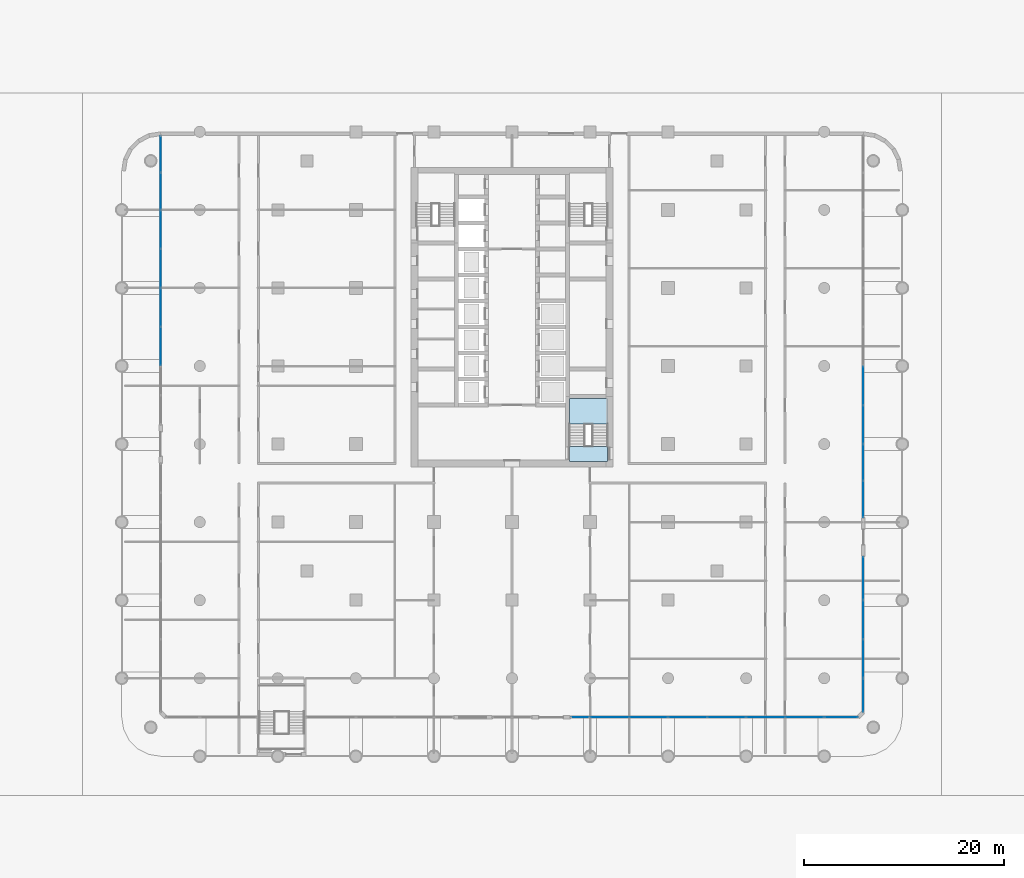
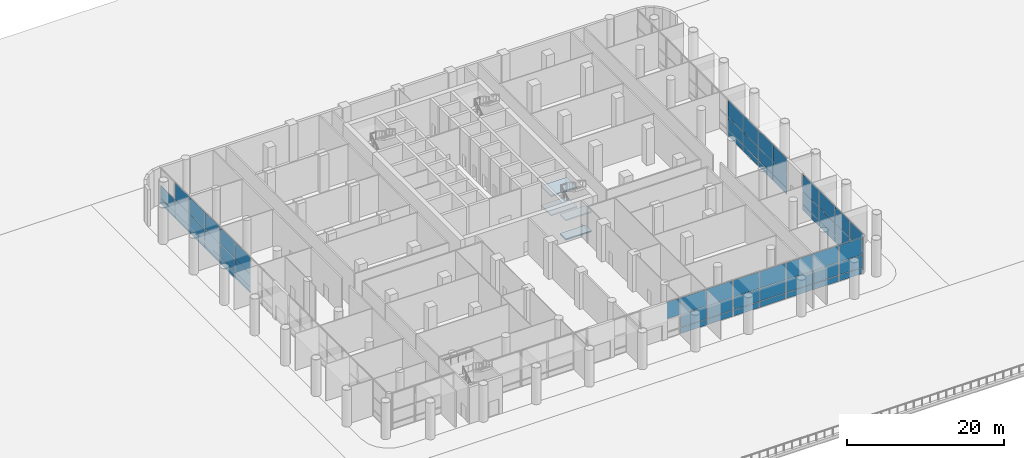
# One storey, part 9 of 32: 63 plates, 4 slabs, 14 elements without a shape of their own.
"""IFC4 building model written with IfcOpenShell, lengths in metres."""

from ifc_helpers import new_model, si_unit, direction, frame, origin, origin_2d, place, context, subcontext, project, spatial, polyline, rectangle, outline, extrude, material, layer, layer_set, type_object, element, aggregate, save


model = new_model("IFC4")

# Units and contexts
model_context = context("Model", 3, precision=1e-05, world=origin(), true_north=direction((0.0, 1.0)))
body_context = subcontext(model_context, "Body", "Model", "MODEL_VIEW")
ifc_project = project(units=[si_unit("LENGTHUNIT", "METRE"), si_unit("AREAUNIT", "SQUARE_METRE"), si_unit("VOLUMEUNIT", "CUBIC_METRE"), si_unit("PLANEANGLEUNIT", "RADIAN"), si_unit("MASSUNIT", "GRAM", prefix="KILO")], contexts=[model_context])

# Site, building, storey
site_placement = place(None, origin())
site = spatial("IfcSite", under=ifc_project, at=site_placement, CompositionType="ELEMENT")
building_placement = place(site_placement, origin())
building = spatial("IfcBuilding", under=site, at=building_placement, Name="Ludao Terraces", CompositionType="ELEMENT")
storey_placement = place(building_placement, origin())
storey = spatial("IfcBuildingStorey", under=building, at=storey_placement, Name="L00", CompositionType="ELEMENT", Elevation=0.0)

# Curtain wall, plate
ifc_material_1 = material(Name="Aluminium curtain wall with fritted glass", Category="aluminium")
curtain_wall_type = type_object("IfcCurtainWallType", Name="ENV CW2 entrance glazing", PredefinedType="NOTDEFINED", material=ifc_material_1)
curtain_wall_1_placement = place(storey_placement, origin())
curtain_wall_1 = element("IfcCurtainWall", 1, at=curtain_wall_1_placement, inside=storey, type_object=curtain_wall_type, Name="CW-L00-S10", PredefinedType="NOTDEFINED")
ifc_material_2 = material(Name="Fritted glass panel", Category="glass")
ifc_layer_1 = layer(ifc_material_2, 0.033935546875)
ifc_layer_set_1 = layer_set([ifc_layer_1], Name="ENV CW2 glass panel")
plate_type = type_object("IfcPlateType", Name="ENV CW2 glass panel", PredefinedType="CURTAIN_PANEL", material=ifc_layer_set_1)
plate_1_placement = place(storey_placement, frame((91.824951171875, 29.89990234375, 3.02978515625), z_axis=(0.0, 0.0, 1.0), x_axis=(1.0, 0.0, 0.0)))
plate_1 = element("IfcPlate", 2, at=plate_1_placement, type_object=plate_type, Name="CW2 panel 1.3", PredefinedType="CURTAIN_PANEL", context=body_context, shape_type="SweptSolid", body=[
    extrude(rectangle(XDim=1.830078125, YDim=0.033935546875, at=origin_2d()), origin(), (0.0, 0.0, 1.0), 2.610107421875),
])
aggregate(curtain_wall_1, [plate_1])

# Curtain wall, plates
curtain_wall_2_placement = place(storey_placement, origin())
curtain_wall_2 = element("IfcCurtainWall", 3, at=curtain_wall_2_placement, inside=storey, type_object=curtain_wall_type, Name="CW-L00-S11", PredefinedType="NOTDEFINED")
plate_2_placement = place(storey_placement, frame((94.764892578125, 29.89990234375, 0.06005859375), z_axis=(0.0, 0.0, 1.0), x_axis=(1.0, 0.0, 0.0)))
plate_2 = element("IfcPlate", 4, at=plate_2_placement, type_object=plate_type, Name="CW2 panel 1.1", PredefinedType="CURTAIN_PANEL", context=body_context, shape_type="SweptSolid", body=[
    extrude(rectangle(XDim=3.81005859375, YDim=0.033935546875, at=origin_2d()), origin(), (0.0, 0.0, 1.0), 0.909912109375),
])
plate_3_placement = place(storey_placement, frame((94.764892578125, 29.89990234375, 1.030029296875), z_axis=(0.0, 0.0, 1.0), x_axis=(1.0, 0.0, 0.0)))
plate_3 = element("IfcPlate", 5, at=plate_3_placement, type_object=plate_type, Name="CW2 panel 1.2", PredefinedType="CURTAIN_PANEL", context=body_context, shape_type="SweptSolid", body=[
    extrude(rectangle(XDim=3.81005859375, YDim=0.033935546875, at=origin_2d()), origin(), (0.0, 0.0, 1.0), 1.93994140625),
])
plate_4_placement = place(storey_placement, frame((94.764892578125, 29.89990234375, 3.02978515625), z_axis=(0.0, 0.0, 1.0), x_axis=(1.0, 0.0, 0.0)))
plate_4 = element("IfcPlate", 6, at=plate_4_placement, type_object=plate_type, Name="CW2 panel 1.3", PredefinedType="CURTAIN_PANEL", context=body_context, shape_type="SweptSolid", body=[
    extrude(rectangle(XDim=3.81005859375, YDim=0.033935546875, at=origin_2d()), origin(), (0.0, 0.0, 1.0), 2.610107421875),
])
plate_5_placement = place(storey_placement, frame((98.635009765625, 29.89990234375, 0.06005859375), z_axis=(0.0, 0.0, 1.0), x_axis=(1.0, 0.0, 0.0)))
plate_5 = element("IfcPlate", 7, at=plate_5_placement, type_object=plate_type, Name="CW2 panel 2.1", PredefinedType="CURTAIN_PANEL", context=body_context, shape_type="SweptSolid", body=[
    extrude(rectangle(XDim=3.81005859375, YDim=0.033935546875, at=origin_2d()), origin(), (0.0, 0.0, 1.0), 0.909912109375),
])
plate_6_placement = place(storey_placement, frame((98.635009765625, 29.89990234375, 1.030029296875), z_axis=(0.0, 0.0, 1.0), x_axis=(1.0, 0.0, 0.0)))
plate_6 = element("IfcPlate", 8, at=plate_6_placement, type_object=plate_type, Name="CW2 panel 2.2", PredefinedType="CURTAIN_PANEL", context=body_context, shape_type="SweptSolid", body=[
    extrude(rectangle(XDim=3.81005859375, YDim=0.033935546875, at=origin_2d()), origin(), (0.0, 0.0, 1.0), 1.93994140625),
])
plate_7_placement = place(storey_placement, frame((98.635009765625, 29.89990234375, 3.02978515625), z_axis=(0.0, 0.0, 1.0), x_axis=(1.0, 0.0, 0.0)))
plate_7 = element("IfcPlate", 9, at=plate_7_placement, type_object=plate_type, Name="CW2 panel 2.3", PredefinedType="CURTAIN_PANEL", context=body_context, shape_type="SweptSolid", body=[
    extrude(rectangle(XDim=3.81005859375, YDim=0.033935546875, at=origin_2d()), origin(), (0.0, 0.0, 1.0), 2.610107421875),
])
aggregate(curtain_wall_2, [plate_2, plate_3, plate_4, plate_5, plate_6, plate_7])

curtain_wall_3_placement = place(storey_placement, origin())
curtain_wall_3 = element("IfcCurtainWall", 10, at=curtain_wall_3_placement, inside=storey, type_object=curtain_wall_type, Name="CW-L00-S12", PredefinedType="NOTDEFINED")
plate_8_placement = place(storey_placement, frame((102.56494140625, 29.89990234375, 0.06005859375), z_axis=(0.0, 0.0, 1.0), x_axis=(1.0, 0.0, 0.0)))
plate_8 = element("IfcPlate", 11, at=plate_8_placement, type_object=plate_type, Name="CW2 panel 1.1", PredefinedType="CURTAIN_PANEL", context=body_context, shape_type="SweptSolid", body=[
    extrude(rectangle(XDim=3.81005859375, YDim=0.033935546875, at=origin_2d()), origin(), (0.0, 0.0, 1.0), 0.909912109375),
])
plate_9_placement = place(storey_placement, frame((102.56494140625, 29.89990234375, 1.030029296875), z_axis=(0.0, 0.0, 1.0), x_axis=(1.0, 0.0, 0.0)))
plate_9 = element("IfcPlate", 12, at=plate_9_placement, type_object=plate_type, Name="CW2 panel 1.2", PredefinedType="CURTAIN_PANEL", context=body_context, shape_type="SweptSolid", body=[
    extrude(rectangle(XDim=3.81005859375, YDim=0.033935546875, at=origin_2d()), origin(), (0.0, 0.0, 1.0), 1.93994140625),
])
plate_10_placement = place(storey_placement, frame((102.56494140625, 29.89990234375, 3.02978515625), z_axis=(0.0, 0.0, 1.0), x_axis=(1.0, 0.0, 0.0)))
plate_10 = element("IfcPlate", 13, at=plate_10_placement, type_object=plate_type, Name="CW2 panel 1.3", PredefinedType="CURTAIN_PANEL", context=body_context, shape_type="SweptSolid", body=[
    extrude(rectangle(XDim=3.81005859375, YDim=0.033935546875, at=origin_2d()), origin(), (0.0, 0.0, 1.0), 2.610107421875),
])
plate_11_placement = place(storey_placement, frame((106.43505859375, 29.89990234375, 0.06005859375), z_axis=(0.0, 0.0, 1.0), x_axis=(1.0, 0.0, 0.0)))
plate_11 = element("IfcPlate", 14, at=plate_11_placement, type_object=plate_type, Name="CW2 panel 2.1", PredefinedType="CURTAIN_PANEL", context=body_context, shape_type="SweptSolid", body=[
    extrude(rectangle(XDim=3.81005859375, YDim=0.033935546875, at=origin_2d()), origin(), (0.0, 0.0, 1.0), 0.909912109375),
])
plate_12_placement = place(storey_placement, frame((106.43505859375, 29.89990234375, 1.030029296875), z_axis=(0.0, 0.0, 1.0), x_axis=(1.0, 0.0, 0.0)))
plate_12 = element("IfcPlate", 15, at=plate_12_placement, type_object=plate_type, Name="CW2 panel 2.2", PredefinedType="CURTAIN_PANEL", context=body_context, shape_type="SweptSolid", body=[
    extrude(rectangle(XDim=3.81005859375, YDim=0.033935546875, at=origin_2d()), origin(), (0.0, 0.0, 1.0), 1.93994140625),
])
plate_13_placement = place(storey_placement, frame((106.43505859375, 29.89990234375, 3.02978515625), z_axis=(0.0, 0.0, 1.0), x_axis=(1.0, 0.0, 0.0)))
plate_13 = element("IfcPlate", 16, at=plate_13_placement, type_object=plate_type, Name="CW2 panel 2.3", PredefinedType="CURTAIN_PANEL", context=body_context, shape_type="SweptSolid", body=[
    extrude(rectangle(XDim=3.81005859375, YDim=0.033935546875, at=origin_2d()), origin(), (0.0, 0.0, 1.0), 2.610107421875),
])
aggregate(curtain_wall_3, [plate_8, plate_9, plate_10, plate_11, plate_12, plate_13])

curtain_wall_4_placement = place(storey_placement, origin())
curtain_wall_4 = element("IfcCurtainWall", 17, at=curtain_wall_4_placement, inside=storey, type_object=curtain_wall_type, Name="CW-L00-S13", PredefinedType="NOTDEFINED")
plate_14_placement = place(storey_placement, frame((110.364990234375, 29.89990234375, 0.06005859375), z_axis=(0.0, 0.0, 1.0), x_axis=(1.0, 0.0, 0.0)))
plate_14 = element("IfcPlate", 18, at=plate_14_placement, type_object=plate_type, Name="CW2 panel 1.1", PredefinedType="CURTAIN_PANEL", context=body_context, shape_type="SweptSolid", body=[
    extrude(rectangle(XDim=3.81005859375, YDim=0.033935546875, at=origin_2d()), origin(), (0.0, 0.0, 1.0), 0.909912109375),
])
plate_15_placement = place(storey_placement, frame((110.364990234375, 29.89990234375, 1.030029296875), z_axis=(0.0, 0.0, 1.0), x_axis=(1.0, 0.0, 0.0)))
plate_15 = element("IfcPlate", 19, at=plate_15_placement, type_object=plate_type, Name="CW2 panel 1.2", PredefinedType="CURTAIN_PANEL", context=body_context, shape_type="SweptSolid", body=[
    extrude(rectangle(XDim=3.81005859375, YDim=0.033935546875, at=origin_2d()), origin(), (0.0, 0.0, 1.0), 1.93994140625),
])
plate_16_placement = place(storey_placement, frame((110.364990234375, 29.89990234375, 3.02978515625), z_axis=(0.0, 0.0, 1.0), x_axis=(1.0, 0.0, 0.0)))
plate_16 = element("IfcPlate", 20, at=plate_16_placement, type_object=plate_type, Name="CW2 panel 1.3", PredefinedType="CURTAIN_PANEL", context=body_context, shape_type="SweptSolid", body=[
    extrude(rectangle(XDim=3.81005859375, YDim=0.033935546875, at=origin_2d()), origin(), (0.0, 0.0, 1.0), 2.610107421875),
])
plate_17_placement = place(storey_placement, frame((114.235107421875, 29.89990234375, 0.06005859375), z_axis=(0.0, 0.0, 1.0), x_axis=(1.0, 0.0, 0.0)))
plate_17 = element("IfcPlate", 21, at=plate_17_placement, type_object=plate_type, Name="CW2 panel 2.1", PredefinedType="CURTAIN_PANEL", context=body_context, shape_type="SweptSolid", body=[
    extrude(rectangle(XDim=3.81005859375, YDim=0.033935546875, at=origin_2d()), origin(), (0.0, 0.0, 1.0), 0.909912109375),
])
plate_18_placement = place(storey_placement, frame((114.235107421875, 29.89990234375, 1.030029296875), z_axis=(0.0, 0.0, 1.0), x_axis=(1.0, 0.0, 0.0)))
plate_18 = element("IfcPlate", 22, at=plate_18_placement, type_object=plate_type, Name="CW2 panel 2.2", PredefinedType="CURTAIN_PANEL", context=body_context, shape_type="SweptSolid", body=[
    extrude(rectangle(XDim=3.81005859375, YDim=0.033935546875, at=origin_2d()), origin(), (0.0, 0.0, 1.0), 1.93994140625),
])
plate_19_placement = place(storey_placement, frame((114.235107421875, 29.89990234375, 3.02978515625), z_axis=(0.0, 0.0, 1.0), x_axis=(1.0, 0.0, 0.0)))
plate_19 = element("IfcPlate", 23, at=plate_19_placement, type_object=plate_type, Name="CW2 panel 2.3", PredefinedType="CURTAIN_PANEL", context=body_context, shape_type="SweptSolid", body=[
    extrude(rectangle(XDim=3.81005859375, YDim=0.033935546875, at=origin_2d()), origin(), (0.0, 0.0, 1.0), 2.610107421875),
])
aggregate(curtain_wall_4, [plate_14, plate_15, plate_16, plate_17, plate_18, plate_19])

curtain_wall_5_placement = place(storey_placement, origin())
curtain_wall_5 = element("IfcCurtainWall", 24, at=curtain_wall_5_placement, inside=storey, type_object=curtain_wall_type, Name="CW-L00-S14", PredefinedType="NOTDEFINED")
plate_20_placement = place(storey_placement, frame((117.89990234375, 29.89990234375, 0.06005859375), z_axis=(0.0, 0.0, 1.0), x_axis=(1.0, 0.0, 0.0)))
plate_20 = element("IfcPlate", 25, at=plate_20_placement, type_object=plate_type, Name="CW2 panel 1.1", PredefinedType="CURTAIN_PANEL", context=body_context, shape_type="SweptSolid", body=[
    extrude(rectangle(XDim=3.280029296875, YDim=0.033935546875, at=origin_2d()), origin(), (0.0, 0.0, 1.0), 0.909912109375),
])
plate_21_placement = place(storey_placement, frame((117.89990234375, 29.89990234375, 1.030029296875), z_axis=(0.0, 0.0, 1.0), x_axis=(1.0, 0.0, 0.0)))
plate_21 = element("IfcPlate", 26, at=plate_21_placement, type_object=plate_type, Name="CW2 panel 1.2", PredefinedType="CURTAIN_PANEL", context=body_context, shape_type="SweptSolid", body=[
    extrude(rectangle(XDim=3.280029296875, YDim=0.033935546875, at=origin_2d()), origin(), (0.0, 0.0, 1.0), 1.93994140625),
])
plate_22_placement = place(storey_placement, frame((117.89990234375, 29.89990234375, 3.02978515625), z_axis=(0.0, 0.0, 1.0), x_axis=(1.0, 0.0, 0.0)))
plate_22 = element("IfcPlate", 27, at=plate_22_placement, type_object=plate_type, Name="CW2 panel 1.3", PredefinedType="CURTAIN_PANEL", context=body_context, shape_type="SweptSolid", body=[
    extrude(rectangle(XDim=3.280029296875, YDim=0.033935546875, at=origin_2d()), origin(), (0.0, 0.0, 1.0), 2.610107421875),
])
aggregate(curtain_wall_5, [plate_20, plate_21, plate_22])

curtain_wall_6_placement = place(storey_placement, origin())
curtain_wall_6 = element("IfcCurtainWall", 28, at=curtain_wall_6_placement, inside=storey, type_object=curtain_wall_type, Name="CW-L00-E1", PredefinedType="NOTDEFINED")
plate_23_placement = place(storey_placement, frame((120.10009765625, 32.10009765625, 0.06005859375), z_axis=(0.0, 0.0, 1.0), x_axis=(0.0, 1.0, 0.0)))
plate_23 = element("IfcPlate", 29, at=plate_23_placement, type_object=plate_type, Name="CW2 panel 1.1", PredefinedType="CURTAIN_PANEL", context=body_context, shape_type="SweptSolid", body=[
    extrude(rectangle(XDim=3.280029296875, YDim=0.033935546875, at=origin_2d()), origin(), (0.0, 0.0, 1.0), 0.909912109375),
])
plate_24_placement = place(storey_placement, frame((120.10009765625, 32.10009765625, 1.030029296875), z_axis=(0.0, 0.0, 1.0), x_axis=(0.0, 1.0, 0.0)))
plate_24 = element("IfcPlate", 30, at=plate_24_placement, type_object=plate_type, Name="CW2 panel 1.2", PredefinedType="CURTAIN_PANEL", context=body_context, shape_type="SweptSolid", body=[
    extrude(rectangle(XDim=3.280029296875, YDim=0.033935546875, at=origin_2d()), origin(), (0.0, 0.0, 1.0), 1.93994140625),
])
plate_25_placement = place(storey_placement, frame((120.10009765625, 32.10009765625, 3.02978515625), z_axis=(0.0, 0.0, 1.0), x_axis=(0.0, 1.0, 0.0)))
plate_25 = element("IfcPlate", 31, at=plate_25_placement, type_object=plate_type, Name="CW2 panel 1.3", PredefinedType="CURTAIN_PANEL", context=body_context, shape_type="SweptSolid", body=[
    extrude(rectangle(XDim=3.280029296875, YDim=0.033935546875, at=origin_2d()), origin(), (0.0, 0.0, 1.0), 2.610107421875),
])
aggregate(curtain_wall_6, [plate_23, plate_24, plate_25])

curtain_wall_7_placement = place(storey_placement, origin())
curtain_wall_7 = element("IfcCurtainWall", 32, at=curtain_wall_7_placement, inside=storey, type_object=curtain_wall_type, Name="CW-L00-E2", PredefinedType="NOTDEFINED")
plate_26_placement = place(storey_placement, frame((120.10009765625, 35.764892578125, 0.06005859375), z_axis=(0.0, 0.0, 1.0), x_axis=(0.0, 1.0, 0.0)))
plate_26 = element("IfcPlate", 33, at=plate_26_placement, type_object=plate_type, Name="CW2 panel 1.1", PredefinedType="CURTAIN_PANEL", context=body_context, shape_type="SweptSolid", body=[
    extrude(rectangle(XDim=3.81005859375, YDim=0.033935546875, at=origin_2d()), origin(), (0.0, 0.0, 1.0), 0.909912109375),
])
plate_27_placement = place(storey_placement, frame((120.10009765625, 35.764892578125, 1.030029296875), z_axis=(0.0, 0.0, 1.0), x_axis=(0.0, 1.0, 0.0)))
plate_27 = element("IfcPlate", 34, at=plate_27_placement, type_object=plate_type, Name="CW2 panel 1.2", PredefinedType="CURTAIN_PANEL", context=body_context, shape_type="SweptSolid", body=[
    extrude(rectangle(XDim=3.81005859375, YDim=0.033935546875, at=origin_2d()), origin(), (0.0, 0.0, 1.0), 1.93994140625),
])
plate_28_placement = place(storey_placement, frame((120.10009765625, 35.764892578125, 3.02978515625), z_axis=(0.0, 0.0, 1.0), x_axis=(0.0, 1.0, 0.0)))
plate_28 = element("IfcPlate", 35, at=plate_28_placement, type_object=plate_type, Name="CW2 panel 1.3", PredefinedType="CURTAIN_PANEL", context=body_context, shape_type="SweptSolid", body=[
    extrude(rectangle(XDim=3.81005859375, YDim=0.033935546875, at=origin_2d()), origin(), (0.0, 0.0, 1.0), 2.610107421875),
])
plate_29_placement = place(storey_placement, frame((120.10009765625, 39.635009765625, 0.06005859375), z_axis=(0.0, 0.0, 1.0), x_axis=(0.0, 1.0, 0.0)))
plate_29 = element("IfcPlate", 36, at=plate_29_placement, type_object=plate_type, Name="CW2 panel 2.1", PredefinedType="CURTAIN_PANEL", context=body_context, shape_type="SweptSolid", body=[
    extrude(rectangle(XDim=3.81005859375, YDim=0.033935546875, at=origin_2d()), origin(), (0.0, 0.0, 1.0), 0.909912109375),
])
plate_30_placement = place(storey_placement, frame((120.10009765625, 39.635009765625, 1.030029296875), z_axis=(0.0, 0.0, 1.0), x_axis=(0.0, 1.0, 0.0)))
plate_30 = element("IfcPlate", 37, at=plate_30_placement, type_object=plate_type, Name="CW2 panel 2.2", PredefinedType="CURTAIN_PANEL", context=body_context, shape_type="SweptSolid", body=[
    extrude(rectangle(XDim=3.81005859375, YDim=0.033935546875, at=origin_2d()), origin(), (0.0, 0.0, 1.0), 1.93994140625),
])
plate_31_placement = place(storey_placement, frame((120.10009765625, 39.635009765625, 3.02978515625), z_axis=(0.0, 0.0, 1.0), x_axis=(0.0, 1.0, 0.0)))
plate_31 = element("IfcPlate", 38, at=plate_31_placement, type_object=plate_type, Name="CW2 panel 2.3", PredefinedType="CURTAIN_PANEL", context=body_context, shape_type="SweptSolid", body=[
    extrude(rectangle(XDim=3.81005859375, YDim=0.033935546875, at=origin_2d()), origin(), (0.0, 0.0, 1.0), 2.610107421875),
])
aggregate(curtain_wall_7, [plate_26, plate_27, plate_28, plate_29, plate_30, plate_31])

curtain_wall_8_placement = place(storey_placement, origin())
curtain_wall_8 = element("IfcCurtainWall", 39, at=curtain_wall_8_placement, inside=storey, type_object=curtain_wall_type, Name="CW-L00-E3", PredefinedType="NOTDEFINED")
plate_32_placement = place(storey_placement, frame((120.10009765625, 43.77490234375, 0.06005859375), z_axis=(0.0, 0.0, 1.0), x_axis=(0.0, 1.0, 0.0)))
plate_32 = element("IfcPlate", 40, at=plate_32_placement, type_object=plate_type, Name="CW2 panel 1.1", PredefinedType="CURTAIN_PANEL", context=body_context, shape_type="SweptSolid", body=[
    extrude(rectangle(XDim=4.22998046875, YDim=0.033935546875, at=origin_2d()), origin(), (0.0, 0.0, 1.0), 0.909912109375),
])
plate_33_placement = place(storey_placement, frame((120.10009765625, 43.77490234375, 1.030029296875), z_axis=(0.0, 0.0, 1.0), x_axis=(0.0, 1.0, 0.0)))
plate_33 = element("IfcPlate", 41, at=plate_33_placement, type_object=plate_type, Name="CW2 panel 1.2", PredefinedType="CURTAIN_PANEL", context=body_context, shape_type="SweptSolid", body=[
    extrude(rectangle(XDim=4.22998046875, YDim=0.033935546875, at=origin_2d()), origin(), (0.0, 0.0, 1.0), 1.93994140625),
])
plate_34_placement = place(storey_placement, frame((120.10009765625, 43.77490234375, 3.02978515625), z_axis=(0.0, 0.0, 1.0), x_axis=(0.0, 1.0, 0.0)))
plate_34 = element("IfcPlate", 42, at=plate_34_placement, type_object=plate_type, Name="CW2 panel 1.3", PredefinedType="CURTAIN_PANEL", context=body_context, shape_type="SweptSolid", body=[
    extrude(rectangle(XDim=4.22998046875, YDim=0.033935546875, at=origin_2d()), origin(), (0.0, 0.0, 1.0), 2.610107421875),
])
aggregate(curtain_wall_8, [plate_32, plate_33, plate_34])

curtain_wall_9_placement = place(storey_placement, origin())
curtain_wall_9 = element("IfcCurtainWall", 43, at=curtain_wall_9_placement, inside=storey, type_object=curtain_wall_type, Name="CW-L00-E5", PredefinedType="NOTDEFINED")
plate_35_placement = place(storey_placement, frame((120.10009765625, 51.702392578125, 0.06005859375), z_axis=(0.0, 0.0, 1.0), x_axis=(0.0, 1.0, 0.0)))
plate_35 = element("IfcPlate", 44, at=plate_35_placement, type_object=plate_type, Name="CW2 panel 1.1", PredefinedType="CURTAIN_PANEL", context=body_context, shape_type="SweptSolid", body=[
    extrude(rectangle(XDim=3.5849609375, YDim=0.033935546875, at=origin_2d()), origin(), (0.0, 0.0, 1.0), 0.909912109375),
])
plate_36_placement = place(storey_placement, frame((120.10009765625, 51.702392578125, 1.030029296875), z_axis=(0.0, 0.0, 1.0), x_axis=(0.0, 1.0, 0.0)))
plate_36 = element("IfcPlate", 45, at=plate_36_placement, type_object=plate_type, Name="CW2 panel 1.2", PredefinedType="CURTAIN_PANEL", context=body_context, shape_type="SweptSolid", body=[
    extrude(rectangle(XDim=3.5849609375, YDim=0.033935546875, at=origin_2d()), origin(), (0.0, 0.0, 1.0), 1.93994140625),
])
plate_37_placement = place(storey_placement, frame((120.10009765625, 51.702392578125, 3.02978515625), z_axis=(0.0, 0.0, 1.0), x_axis=(0.0, 1.0, 0.0)))
plate_37 = element("IfcPlate", 46, at=plate_37_placement, type_object=plate_type, Name="CW2 panel 1.3", PredefinedType="CURTAIN_PANEL", context=body_context, shape_type="SweptSolid", body=[
    extrude(rectangle(XDim=3.5849609375, YDim=0.033935546875, at=origin_2d()), origin(), (0.0, 0.0, 1.0), 2.610107421875),
])
plate_38_placement = place(storey_placement, frame((120.10009765625, 55.347412109375, 0.06005859375), z_axis=(0.0, 0.0, 1.0), x_axis=(0.0, 1.0, 0.0)))
plate_38 = element("IfcPlate", 47, at=plate_38_placement, type_object=plate_type, Name="CW2 panel 2.1", PredefinedType="CURTAIN_PANEL", context=body_context, shape_type="SweptSolid", body=[
    extrude(rectangle(XDim=3.5849609375, YDim=0.033935546875, at=origin_2d()), origin(), (0.0, 0.0, 1.0), 0.909912109375),
])
plate_39_placement = place(storey_placement, frame((120.10009765625, 55.347412109375, 1.030029296875), z_axis=(0.0, 0.0, 1.0), x_axis=(0.0, 1.0, 0.0)))
plate_39 = element("IfcPlate", 48, at=plate_39_placement, type_object=plate_type, Name="CW2 panel 2.2", PredefinedType="CURTAIN_PANEL", context=body_context, shape_type="SweptSolid", body=[
    extrude(rectangle(XDim=3.5849609375, YDim=0.033935546875, at=origin_2d()), origin(), (0.0, 0.0, 1.0), 1.93994140625),
])
plate_40_placement = place(storey_placement, frame((120.10009765625, 55.347412109375, 3.02978515625), z_axis=(0.0, 0.0, 1.0), x_axis=(0.0, 1.0, 0.0)))
plate_40 = element("IfcPlate", 49, at=plate_40_placement, type_object=plate_type, Name="CW2 panel 2.3", PredefinedType="CURTAIN_PANEL", context=body_context, shape_type="SweptSolid", body=[
    extrude(rectangle(XDim=3.5849609375, YDim=0.033935546875, at=origin_2d()), origin(), (0.0, 0.0, 1.0), 2.610107421875),
])
aggregate(curtain_wall_9, [plate_35, plate_36, plate_37, plate_38, plate_39, plate_40])

curtain_wall_10_placement = place(storey_placement, origin())
curtain_wall_10 = element("IfcCurtainWall", 50, at=curtain_wall_10_placement, inside=storey, type_object=curtain_wall_type, Name="CW-L00-E6", PredefinedType="NOTDEFINED")
plate_41_placement = place(storey_placement, frame((120.10009765625, 59.1650390625, 0.06005859375), z_axis=(0.0, 0.0, 1.0), x_axis=(0.0, 1.0, 0.0)))
plate_41 = element("IfcPlate", 51, at=plate_41_placement, type_object=plate_type, Name="CW2 panel 1.1", PredefinedType="CURTAIN_PANEL", context=body_context, shape_type="SweptSolid", body=[
    extrude(rectangle(XDim=3.81005859375, YDim=0.033935546875, at=origin_2d()), origin(), (0.0, 0.0, 1.0), 0.909912109375),
])
plate_42_placement = place(storey_placement, frame((120.10009765625, 59.1650390625, 1.030029296875), z_axis=(0.0, 0.0, 1.0), x_axis=(0.0, 1.0, 0.0)))
plate_42 = element("IfcPlate", 52, at=plate_42_placement, type_object=plate_type, Name="CW2 panel 1.2", PredefinedType="CURTAIN_PANEL", context=body_context, shape_type="SweptSolid", body=[
    extrude(rectangle(XDim=3.81005859375, YDim=0.033935546875, at=origin_2d()), origin(), (0.0, 0.0, 1.0), 1.93994140625),
])
plate_43_placement = place(storey_placement, frame((120.10009765625, 59.1650390625, 3.02978515625), z_axis=(0.0, 0.0, 1.0), x_axis=(0.0, 1.0, 0.0)))
plate_43 = element("IfcPlate", 53, at=plate_43_placement, type_object=plate_type, Name="CW2 panel 1.3", PredefinedType="CURTAIN_PANEL", context=body_context, shape_type="SweptSolid", body=[
    extrude(rectangle(XDim=3.81005859375, YDim=0.033935546875, at=origin_2d()), origin(), (0.0, 0.0, 1.0), 2.610107421875),
])
plate_44_placement = place(storey_placement, frame((120.10009765625, 63.034912109375, 0.06005859375), z_axis=(0.0, 0.0, 1.0), x_axis=(0.0, 1.0, 0.0)))
plate_44 = element("IfcPlate", 54, at=plate_44_placement, type_object=plate_type, Name="CW2 panel 2.1", PredefinedType="CURTAIN_PANEL", context=body_context, shape_type="SweptSolid", body=[
    extrude(rectangle(XDim=3.81005859375, YDim=0.033935546875, at=origin_2d()), origin(), (0.0, 0.0, 1.0), 0.909912109375),
])
plate_45_placement = place(storey_placement, frame((120.10009765625, 63.034912109375, 1.030029296875), z_axis=(0.0, 0.0, 1.0), x_axis=(0.0, 1.0, 0.0)))
plate_45 = element("IfcPlate", 55, at=plate_45_placement, type_object=plate_type, Name="CW2 panel 2.2", PredefinedType="CURTAIN_PANEL", context=body_context, shape_type="SweptSolid", body=[
    extrude(rectangle(XDim=3.81005859375, YDim=0.033935546875, at=origin_2d()), origin(), (0.0, 0.0, 1.0), 1.93994140625),
])
plate_46_placement = place(storey_placement, frame((120.10009765625, 63.034912109375, 3.02978515625), z_axis=(0.0, 0.0, 1.0), x_axis=(0.0, 1.0, 0.0)))
plate_46 = element("IfcPlate", 56, at=plate_46_placement, type_object=plate_type, Name="CW2 panel 2.3", PredefinedType="CURTAIN_PANEL", context=body_context, shape_type="SweptSolid", body=[
    extrude(rectangle(XDim=3.81005859375, YDim=0.033935546875, at=origin_2d()), origin(), (0.0, 0.0, 1.0), 2.610107421875),
])
aggregate(curtain_wall_10, [plate_41, plate_42, plate_43, plate_44, plate_45, plate_46])

curtain_wall_11_placement = place(storey_placement, origin())
curtain_wall_11 = element("IfcCurtainWall", 57, at=curtain_wall_11_placement, inside=storey, type_object=curtain_wall_type, Name="CW-L00-W7", PredefinedType="NOTDEFINED")
plate_47_placement = place(storey_placement, frame((49.89990234375, 66.965087890625, 0.06005859375), z_axis=(0.0, 0.0, 1.0), x_axis=(0.0, 1.0, 0.0)))
plate_47 = element("IfcPlate", 58, at=plate_47_placement, type_object=plate_type, Name="CW2 panel 1.1", PredefinedType="CURTAIN_PANEL", context=body_context, shape_type="SweptSolid", body=[
    extrude(rectangle(XDim=3.81005859375, YDim=0.033935546875, at=origin_2d()), origin(), (0.0, 0.0, 1.0), 0.909912109375),
])
plate_48_placement = place(storey_placement, frame((49.89990234375, 66.965087890625, 1.030029296875), z_axis=(0.0, 0.0, 1.0), x_axis=(0.0, 1.0, 0.0)))
plate_48 = element("IfcPlate", 59, at=plate_48_placement, type_object=plate_type, Name="CW2 panel 1.2", PredefinedType="CURTAIN_PANEL", context=body_context, shape_type="SweptSolid", body=[
    extrude(rectangle(XDim=3.81005859375, YDim=0.033935546875, at=origin_2d()), origin(), (0.0, 0.0, 1.0), 1.93994140625),
])
plate_49_placement = place(storey_placement, frame((49.89990234375, 66.965087890625, 3.02978515625), z_axis=(0.0, 0.0, 1.0), x_axis=(0.0, 1.0, 0.0)))
plate_49 = element("IfcPlate", 60, at=plate_49_placement, type_object=plate_type, Name="CW2 panel 1.3", PredefinedType="CURTAIN_PANEL", context=body_context, shape_type="SweptSolid", body=[
    extrude(rectangle(XDim=3.81005859375, YDim=0.033935546875, at=origin_2d()), origin(), (0.0, 0.0, 1.0), 2.610107421875),
])
plate_50_placement = place(storey_placement, frame((49.89990234375, 70.8349609375, 0.06005859375), z_axis=(0.0, 0.0, 1.0), x_axis=(0.0, 1.0, 0.0)))
plate_50 = element("IfcPlate", 61, at=plate_50_placement, type_object=plate_type, Name="CW2 panel 2.1", PredefinedType="CURTAIN_PANEL", context=body_context, shape_type="SweptSolid", body=[
    extrude(rectangle(XDim=3.81005859375, YDim=0.033935546875, at=origin_2d()), origin(), (0.0, 0.0, 1.0), 0.909912109375),
])
plate_51_placement = place(storey_placement, frame((49.89990234375, 70.8349609375, 1.030029296875), z_axis=(0.0, 0.0, 1.0), x_axis=(0.0, 1.0, 0.0)))
plate_51 = element("IfcPlate", 62, at=plate_51_placement, type_object=plate_type, Name="CW2 panel 2.2", PredefinedType="CURTAIN_PANEL", context=body_context, shape_type="SweptSolid", body=[
    extrude(rectangle(XDim=3.81005859375, YDim=0.033935546875, at=origin_2d()), origin(), (0.0, 0.0, 1.0), 1.93994140625),
])
plate_52_placement = place(storey_placement, frame((49.89990234375, 70.8349609375, 3.02978515625), z_axis=(0.0, 0.0, 1.0), x_axis=(0.0, 1.0, 0.0)))
plate_52 = element("IfcPlate", 63, at=plate_52_placement, type_object=plate_type, Name="CW2 panel 2.3", PredefinedType="CURTAIN_PANEL", context=body_context, shape_type="SweptSolid", body=[
    extrude(rectangle(XDim=3.81005859375, YDim=0.033935546875, at=origin_2d()), origin(), (0.0, 0.0, 1.0), 2.610107421875),
])
aggregate(curtain_wall_11, [plate_47, plate_48, plate_49, plate_50, plate_51, plate_52])

curtain_wall_12_placement = place(storey_placement, origin())
curtain_wall_12 = element("IfcCurtainWall", 64, at=curtain_wall_12_placement, inside=storey, type_object=curtain_wall_type, Name="CW-L00-W8", PredefinedType="NOTDEFINED")
plate_53_placement = place(storey_placement, frame((49.89990234375, 74.764892578125, 0.06005859375), z_axis=(0.0, 0.0, 1.0), x_axis=(0.0, 1.0, 0.0)))
plate_53 = element("IfcPlate", 65, at=plate_53_placement, type_object=plate_type, Name="CW2 panel 1.1", PredefinedType="CURTAIN_PANEL", context=body_context, shape_type="SweptSolid", body=[
    extrude(rectangle(XDim=3.81005859375, YDim=0.033935546875, at=origin_2d()), origin(), (0.0, 0.0, 1.0), 0.909912109375),
])
plate_54_placement = place(storey_placement, frame((49.89990234375, 74.764892578125, 1.030029296875), z_axis=(0.0, 0.0, 1.0), x_axis=(0.0, 1.0, 0.0)))
plate_54 = element("IfcPlate", 66, at=plate_54_placement, type_object=plate_type, Name="CW2 panel 1.2", PredefinedType="CURTAIN_PANEL", context=body_context, shape_type="SweptSolid", body=[
    extrude(rectangle(XDim=3.81005859375, YDim=0.033935546875, at=origin_2d()), origin(), (0.0, 0.0, 1.0), 1.93994140625),
])
plate_55_placement = place(storey_placement, frame((49.89990234375, 74.764892578125, 3.02978515625), z_axis=(0.0, 0.0, 1.0), x_axis=(0.0, 1.0, 0.0)))
plate_55 = element("IfcPlate", 67, at=plate_55_placement, type_object=plate_type, Name="CW2 panel 1.3", PredefinedType="CURTAIN_PANEL", context=body_context, shape_type="SweptSolid", body=[
    extrude(rectangle(XDim=3.81005859375, YDim=0.033935546875, at=origin_2d()), origin(), (0.0, 0.0, 1.0), 2.610107421875),
])
plate_56_placement = place(storey_placement, frame((49.89990234375, 78.635009765625, 0.06005859375), z_axis=(0.0, 0.0, 1.0), x_axis=(0.0, 1.0, 0.0)))
plate_56 = element("IfcPlate", 68, at=plate_56_placement, type_object=plate_type, Name="CW2 panel 2.1", PredefinedType="CURTAIN_PANEL", context=body_context, shape_type="SweptSolid", body=[
    extrude(rectangle(XDim=3.81005859375, YDim=0.033935546875, at=origin_2d()), origin(), (0.0, 0.0, 1.0), 0.909912109375),
])
plate_57_placement = place(storey_placement, frame((49.89990234375, 78.635009765625, 1.030029296875), z_axis=(0.0, 0.0, 1.0), x_axis=(0.0, 1.0, 0.0)))
plate_57 = element("IfcPlate", 69, at=plate_57_placement, type_object=plate_type, Name="CW2 panel 2.2", PredefinedType="CURTAIN_PANEL", context=body_context, shape_type="SweptSolid", body=[
    extrude(rectangle(XDim=3.81005859375, YDim=0.033935546875, at=origin_2d()), origin(), (0.0, 0.0, 1.0), 1.93994140625),
])
plate_58_placement = place(storey_placement, frame((49.89990234375, 78.635009765625, 3.02978515625), z_axis=(0.0, 0.0, 1.0), x_axis=(0.0, 1.0, 0.0)))
plate_58 = element("IfcPlate", 70, at=plate_58_placement, type_object=plate_type, Name="CW2 panel 2.3", PredefinedType="CURTAIN_PANEL", context=body_context, shape_type="SweptSolid", body=[
    extrude(rectangle(XDim=3.81005859375, YDim=0.033935546875, at=origin_2d()), origin(), (0.0, 0.0, 1.0), 2.610107421875),
])
aggregate(curtain_wall_12, [plate_53, plate_54, plate_55, plate_56, plate_57, plate_58])

curtain_wall_13_placement = place(storey_placement, origin())
curtain_wall_13 = element("IfcCurtainWall", 71, at=curtain_wall_13_placement, inside=storey, type_object=curtain_wall_type, Name="CW-L00-W9", PredefinedType="NOTDEFINED")
plate_59_placement = place(storey_placement, frame((49.89990234375, 82.469970703125, 0.06005859375), z_axis=(0.0, 0.0, 1.0), x_axis=(0.0, 1.0, 0.0)))
plate_59 = element("IfcPlate", 72, at=plate_59_placement, type_object=plate_type, Name="CW2 panel 1.1", PredefinedType="CURTAIN_PANEL", context=body_context, shape_type="SweptSolid", body=[
    extrude(rectangle(XDim=3.6201171875, YDim=0.033935546875, at=origin_2d()), origin(), (0.0, 0.0, 1.0), 0.909912109375),
])
plate_60_placement = place(storey_placement, frame((49.89990234375, 82.469970703125, 1.030029296875), z_axis=(0.0, 0.0, 1.0), x_axis=(0.0, 1.0, 0.0)))
plate_60 = element("IfcPlate", 73, at=plate_60_placement, type_object=plate_type, Name="CW2 panel 1.2", PredefinedType="CURTAIN_PANEL", context=body_context, shape_type="SweptSolid", body=[
    extrude(rectangle(XDim=3.6201171875, YDim=0.033935546875, at=origin_2d()), origin(), (0.0, 0.0, 1.0), 1.93994140625),
])
plate_61_placement = place(storey_placement, frame((49.89990234375, 82.469970703125, 3.02978515625), z_axis=(0.0, 0.0, 1.0), x_axis=(0.0, 1.0, 0.0)))
plate_61 = element("IfcPlate", 74, at=plate_61_placement, type_object=plate_type, Name="CW2 panel 1.3", PredefinedType="CURTAIN_PANEL", context=body_context, shape_type="SweptSolid", body=[
    extrude(rectangle(XDim=3.6201171875, YDim=0.033935546875, at=origin_2d()), origin(), (0.0, 0.0, 1.0), 2.610107421875),
])
plate_62_placement = place(storey_placement, frame((49.89990234375, 86.14990234375, 0.06005859375), z_axis=(0.0, 0.0, 1.0), x_axis=(0.0, 1.0, 0.0)))
plate_62 = element("IfcPlate", 75, at=plate_62_placement, type_object=plate_type, Name="CW2 panel 2.1", PredefinedType="CURTAIN_PANEL", context=body_context, shape_type="SweptSolid", body=[
    extrude(rectangle(XDim=3.6201171875, YDim=0.033935546875, at=origin_2d()), origin(), (0.0, 0.0, 1.0), 0.909912109375),
])
plate_63_placement = place(storey_placement, frame((49.89990234375, 86.14990234375, 1.030029296875), z_axis=(0.0, 0.0, 1.0), x_axis=(0.0, 1.0, 0.0)))
plate_63 = element("IfcPlate", 76, at=plate_63_placement, type_object=plate_type, Name="CW2 panel 2.2", PredefinedType="CURTAIN_PANEL", context=body_context, shape_type="SweptSolid", body=[
    extrude(rectangle(XDim=3.6201171875, YDim=0.033935546875, at=origin_2d()), origin(), (0.0, 0.0, 1.0), 1.93994140625),
])
aggregate(curtain_wall_13, [plate_59, plate_60, plate_61, plate_62, plate_63])

# Stair, slabs
ifc_material_3 = material(Name="Concrete C40", Category="concrete")
stair_type = type_object("IfcStairType", Name="INT Stair", PredefinedType="HALF_TURN_STAIR", material=ifc_material_3)
stair_placement = place(storey_placement, origin())
stair = element("IfcStair", 77, at=stair_placement, inside=storey, type_object=stair_type, Name="EXIT STAIR 3", PredefinedType="HALF_TURN_STAIR")
ifc_layer_2 = layer(ifc_material_3, 0.199951171875)
ifc_layer_set_2 = layer_set([ifc_layer_2], Name="INT Stair landing 200")
slab_type = type_object("IfcSlabType", Name="INT Stair landing 200", PredefinedType="LANDING", material=ifc_layer_set_2)
slab_1_placement = place(storey_placement, frame((0.0, 0.0, 1.300048828125)))
slab_1 = element("IfcSlab", 78, at=slab_1_placement, type_object=slab_type, Name="ST3 landing 1", PredefinedType="LANDING", context=body_context, shape_type="SweptSolid", body=[
    extrude(outline(polyline([(90.75, 59.18994140625), (94.550048828125, 59.18994140625), (94.550048828125, 61.75), (90.75, 61.75), (90.75, 59.18994140625)])), origin(), (0.0, 0.0, 1.0), 0.199951171875),
])
slab_2_placement = place(storey_placement, frame((0.0, 0.0, 2.800048828125)))
slab_2 = element("IfcSlab", 79, at=slab_2_placement, type_object=slab_type, Name="ST3 landing 2", PredefinedType="LANDING", context=body_context, shape_type="SweptSolid", body=[
    extrude(outline(polyline([(90.75, 55.449951171875), (94.550048828125, 55.449951171875), (94.550048828125, 56.949951171875), (90.75, 56.949951171875), (90.75, 55.449951171875)])), origin(), (0.0, 0.0, 1.0), 0.199951171875),
])
slab_3_placement = place(storey_placement, frame((0.0, 0.0, 4.300048828125)))
slab_3 = element("IfcSlab", 80, at=slab_3_placement, type_object=slab_type, Name="ST3 landing 3", PredefinedType="LANDING", context=body_context, shape_type="SweptSolid", body=[
    extrude(outline(polyline([(90.75, 59.18994140625), (94.550048828125, 59.18994140625), (94.550048828125, 61.75), (90.75, 61.75), (90.75, 59.18994140625)])), origin(), (0.0, 0.0, 1.0), 0.199951171875),
])
slab_4_placement = place(storey_placement, frame((0.0, 0.0, -0.199951171875)))
slab_4 = element("IfcSlab", 81, at=slab_4_placement, type_object=slab_type, Name="ST3 landing 4", PredefinedType="LANDING", context=body_context, shape_type="SweptSolid", body=[
    extrude(outline(polyline([(90.75, 55.449951171875), (94.550048828125, 55.449951171875), (94.550048828125, 56.949951171875), (90.75, 56.949951171875), (90.75, 55.449951171875)])), origin(), (0.0, 0.0, 1.0), 0.199951171875),
])
aggregate(stair, [slab_1, slab_2, slab_3, slab_4])

save(model, "model.ifc")
